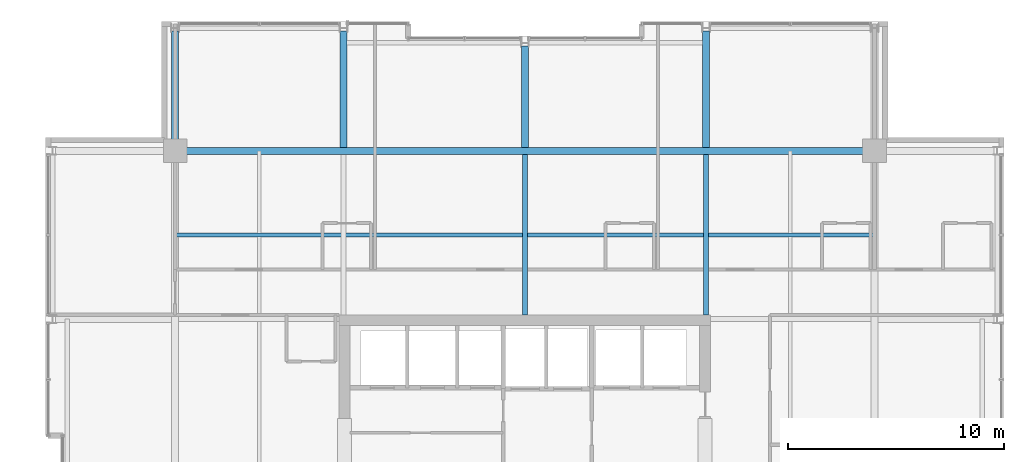
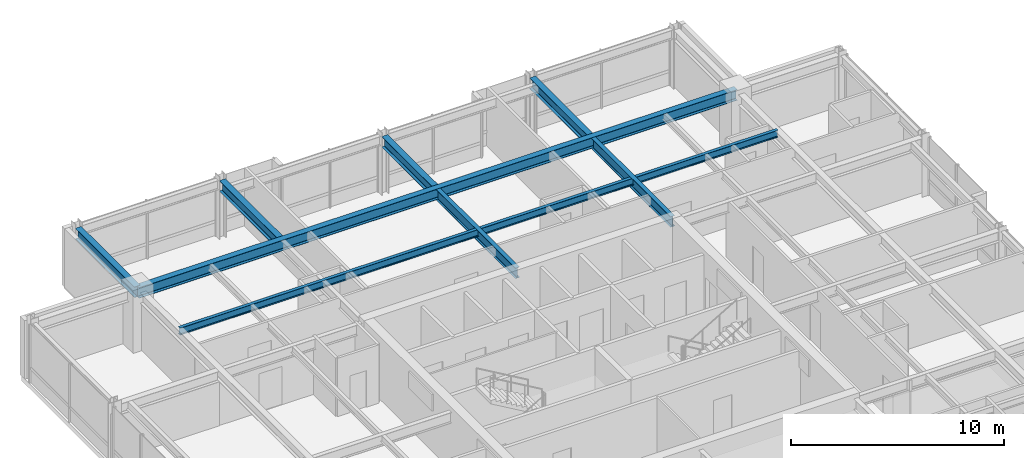
# One storey, part 19 of 31: 8 beams.
"""IFC4 building model written with IfcOpenShell, lengths in metres."""

from ifc_helpers import new_model, si_unit, direction, frame, origin, origin_2d, place, context, subcontext, project, spatial, i_section, extrude, material, material_profile, profile_set, type_object, element, save


model = new_model("IFC4")

# Units and contexts
model_context = context("Model", 3, precision=1e-05, world=origin(), true_north=direction((0.0, 1.0)))
body_context = subcontext(model_context, "Body", "Model", "MODEL_VIEW")
ifc_project = project(units=[si_unit("LENGTHUNIT", "METRE"), si_unit("AREAUNIT", "SQUARE_METRE"), si_unit("VOLUMEUNIT", "CUBIC_METRE"), si_unit("PLANEANGLEUNIT", "RADIAN"), si_unit("MASSUNIT", "GRAM", prefix="KILO")], contexts=[model_context])

# Site, building, storey
site_placement = place(None, origin())
site = spatial("IfcSite", under=ifc_project, at=site_placement, CompositionType="ELEMENT")
building_placement = place(site_placement, origin())
building = spatial("IfcBuilding", under=site, at=building_placement, Name="Drelvath Grand Hotel", CompositionType="ELEMENT")
storey_placement = place(building_placement, frame((0.0, 0.0, 230.300048828125)))
storey = spatial("IfcBuildingStorey", under=building, at=storey_placement, Name="L60", CompositionType="ELEMENT", Elevation=230.300048828125)

# Beams
ifc_material = material(Name="Steel ASTM A992 Gr 50", Category="steel")
ifc_material_profile_1 = material_profile(ifc_material, i_section(OverallWidth=0.177734375, OverallDepth=0.40673828125, WebThickness=0.0078125, FlangeThickness=0.0126953125, FilletRadius=0.014892578125, at=origin_2d()), Name="W16X40")
ifc_profile_set_1 = profile_set([ifc_material_profile_1], Name="Steel ASTM A992 Gr 50")
beam_type_1 = type_object("IfcBeamType", Name="Composite Floor Joist W16X40", PredefinedType="JOIST", material=ifc_profile_set_1)
beam_1_placement = place(storey_placement, frame((-16.199951171875, 39.300048828125, 3.136474609375), z_axis=(1.0, 0.0, 0.0), x_axis=(0.0, 1.0, 0.0)))
element("IfcBeam", 1, at=beam_1_placement, inside=storey, type_object=beam_type_1, Name="L60 Floor Joist J2", PredefinedType="JOIST", context=body_context, shape_type="SweptSolid", body=[
    extrude(i_section(OverallWidth=0.177734375, OverallDepth=0.40673828125, WebThickness=0.0078125, FlangeThickness=0.0126953125, FilletRadius=0.014892578125, at=origin_2d()), origin(), (0.0, 0.0, 1.0), 32.39990234375),
])
ifc_material_profile_2 = material_profile(ifc_material, i_section(OverallWidth=0.323974609375, OverallDepth=0.611083984375, WebThickness=0.0126953125, FlangeThickness=0.01904296875, FilletRadius=0.02197265625, at=origin_2d()), Name="W24X104")
ifc_profile_set_2 = profile_set([ifc_material_profile_2], Name="Steel ASTM A992 Gr 50")
beam_type_2 = type_object("IfcBeamType", Name="Primary Floor Girder W24X104", PredefinedType="BEAM", material=ifc_profile_set_2)
beam_2_placement = place(storey_placement, frame((-16.199951171875, 43.199951171875, 3.034423828125), z_axis=(1.0, 0.0, 0.0), x_axis=(0.0, 1.0, 0.0)))
element("IfcBeam", 2, at=beam_2_placement, inside=storey, type_object=beam_type_2, Name="L60 Mega Ring Girder North", PredefinedType="BEAM", context=body_context, shape_type="SweptSolid", body=[
    extrude(i_section(OverallWidth=0.323974609375, OverallDepth=0.611083984375, WebThickness=0.0126953125, FlangeThickness=0.01904296875, FilletRadius=0.02197265625, at=origin_2d()), origin(), (0.0, 0.0, 1.0), 32.39990234375),
])
beam_3_placement = place(storey_placement, frame((-16.199951171875, 43.199951171875, 3.034423828125), z_axis=(0.0, 1.0, 0.0), x_axis=(-1.0, 0.0, 0.0)))
element("IfcBeam", 3, at=beam_3_placement, inside=storey, type_object=beam_type_2, Name="L60 North Grid Girder 3", PredefinedType="BEAM", context=body_context, shape_type="SweptSolid", body=[
    extrude(i_section(OverallWidth=0.323974609375, OverallDepth=0.611083984375, WebThickness=0.0126953125, FlangeThickness=0.01904296875, FilletRadius=0.02197265625, at=origin_2d()), origin(), (0.0, 0.0, 1.0), 5.5400390625),
])
beam_4_placement = place(storey_placement, frame((-8.39990234375, 43.362060546875, 3.034423828125), z_axis=(0.0, 1.0, 0.0), x_axis=(-1.0, 0.0, 0.0)))
element("IfcBeam", 4, at=beam_4_placement, inside=storey, type_object=beam_type_2, Name="L60 North Wing Girder 4", PredefinedType="BEAM", context=body_context, shape_type="SweptSolid", body=[
    extrude(i_section(OverallWidth=0.323974609375, OverallDepth=0.611083984375, WebThickness=0.0126953125, FlangeThickness=0.01904296875, FilletRadius=0.02197265625, at=origin_2d()), origin(), (0.0, 0.0, 1.0), 5.3779296875),
])
beam_5_placement = place(storey_placement, frame((0.0, 43.362060546875, 3.034423828125), z_axis=(0.0, 1.0, 0.0), x_axis=(-1.0, 0.0, 0.0)))
element("IfcBeam", 5, at=beam_5_placement, inside=storey, type_object=beam_type_2, Name="L60 North Wing Girder 5", PredefinedType="BEAM", context=body_context, shape_type="SweptSolid", body=[
    extrude(i_section(OverallWidth=0.323974609375, OverallDepth=0.611083984375, WebThickness=0.0126953125, FlangeThickness=0.01904296875, FilletRadius=0.02197265625, at=origin_2d()), origin(), (0.0, 0.0, 1.0), 4.697998046875),
])
beam_6_placement = place(storey_placement, frame((8.39990234375, 43.362060546875, 3.034423828125), z_axis=(0.0, 1.0, 0.0), x_axis=(-1.0, 0.0, 0.0)))
element("IfcBeam", 6, at=beam_6_placement, inside=storey, type_object=beam_type_2, Name="L60 North Wing Girder 6", PredefinedType="BEAM", context=body_context, shape_type="SweptSolid", body=[
    extrude(i_section(OverallWidth=0.323974609375, OverallDepth=0.611083984375, WebThickness=0.0126953125, FlangeThickness=0.01904296875, FilletRadius=0.02197265625, at=origin_2d()), origin(), (0.0, 0.0, 1.0), 5.3779296875),
])
ifc_material_profile_3 = material_profile(ifc_material, i_section(OverallWidth=0.228271484375, OverallDepth=0.607666015625, WebThickness=0.01123046875, FlangeThickness=0.017333984375, FilletRadius=0.02001953125, at=origin_2d()), Name="W24X76")
ifc_profile_set_3 = profile_set([ifc_material_profile_3], Name="Steel ASTM A992 Gr 50")
beam_type_3 = type_object("IfcBeamType", Name="Primary Floor Girder W24X76", PredefinedType="BEAM", material=ifc_profile_set_3)
for number, where, z_axis, x_axis, name in (
    (7, (0.0, 35.60009765625, 3.0361328125), (0.0, 1.0, 0.0), (-1.0, 0.0, 0.0), "L60 North Core Tie 5"),
    (8, (8.39990234375, 35.60009765625, 3.0361328125), (0.0, 1.0, 0.0), (-1.0, 0.0, 0.0), "L60 North Core Tie 6"),
):
    element("IfcBeam", number, at=place(storey_placement, frame(where, z_axis=z_axis, x_axis=x_axis)), inside=storey, type_object=beam_type_3, Name=name, PredefinedType="BEAM", context=body_context, shape_type="SweptSolid", body=[
        extrude(i_section(OverallWidth=0.228271484375, OverallDepth=0.607666015625, WebThickness=0.01123046875, FlangeThickness=0.017333984375, FilletRadius=0.02001953125, at=origin_2d()), origin(), (0.0, 0.0, 1.0), 7.43798828125),
    ])

save(model, "model.ifc")
